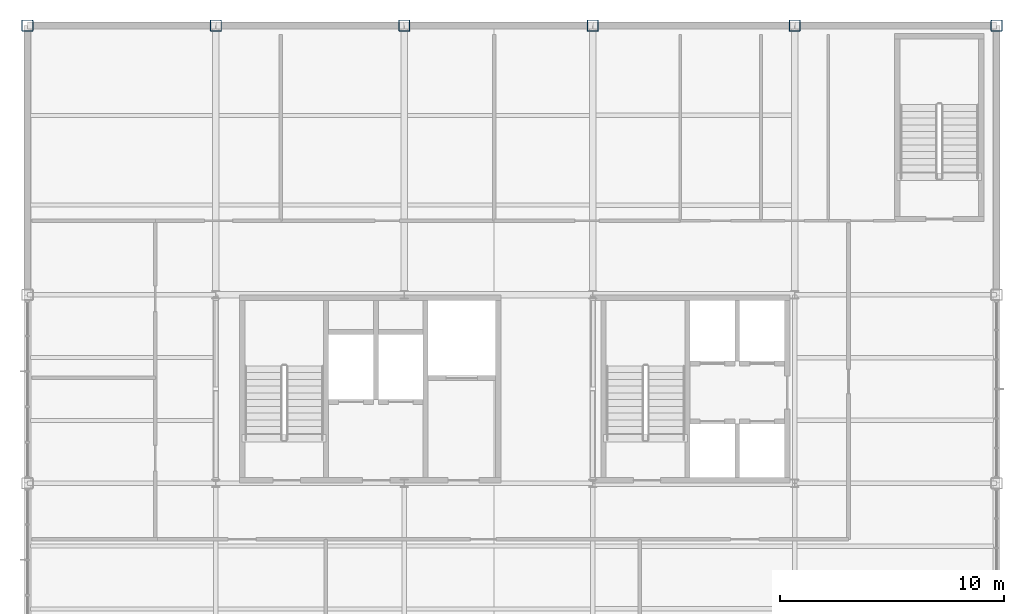
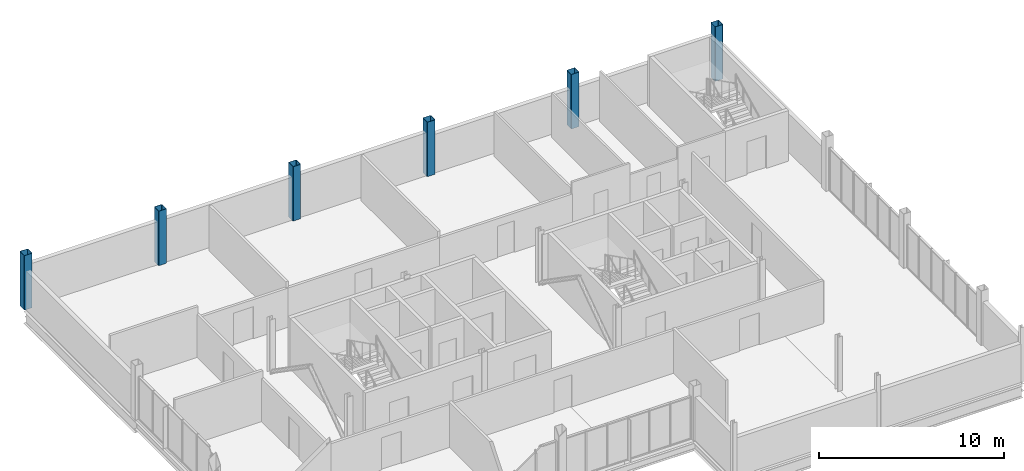
# One storey, part 3 of 16: 6 columns.
"""IFC4 building model written with IfcOpenShell, lengths in metres."""

from ifc_helpers import new_model, si_unit, direction, frame, origin, origin_2d, place, context, subcontext, project, spatial, hollow_rectangle, extrude, material, material_profile, profile_set, type_object, element, save


model = new_model("IFC4")

# Units and contexts
model_context = context("Model", 3, precision=1e-05, world=origin(), true_north=direction((0.0, 1.0)))
body_context = subcontext(model_context, "Body", "Model", "MODEL_VIEW")
ifc_project = project(units=[si_unit("LENGTHUNIT", "METRE"), si_unit("AREAUNIT", "SQUARE_METRE"), si_unit("VOLUMEUNIT", "CUBIC_METRE"), si_unit("PLANEANGLEUNIT", "RADIAN"), si_unit("MASSUNIT", "GRAM", prefix="KILO")], contexts=[model_context])

# Site, building, storey
site_placement = place(None, origin())
site = spatial("IfcSite", under=ifc_project, at=site_placement, CompositionType="ELEMENT")
building_placement = place(site_placement, origin())
building = spatial("IfcBuilding", under=site, at=building_placement, Name="Yukiwa Park Conservatory and Herbarium", CompositionType="ELEMENT")
storey_placement = place(building_placement, frame((0.0, 0.0, 39.60009765625)))
storey = spatial("IfcBuildingStorey", under=building, at=storey_placement, Name="L10", CompositionType="ELEMENT", Elevation=39.60009765625)

# Columns
ifc_material = material(Name="Steel Q355D", Category="steel")
ifc_material_profile = material_profile(ifc_material, hollow_rectangle(XDim=0.5, YDim=0.5, WallThickness=0.02001953125, InnerFilletRadius=0.02001953125, OuterFilletRadius=0.0400390625, at=origin_2d()), Name="BOX 500x500x20")
ifc_profile_set = profile_set([ifc_material_profile], Name="Steel Q355D")
column_type = type_object("IfcColumnType", Name="COL-TW-BOX500-EXT", PredefinedType="COLUMN", material=ifc_profile_set)
for number, where, z_axis, x_axis, name in (
    (1, (124.800048828125, 115.199951171875, 0.0), (0.0, 0.0, 1.0), (1.0, 0.0, 0.0), "L10 column V5-X1248-Y1152"),
    (2, (133.199951171875, 115.199951171875, 0.0), (0.0, 0.0, 1.0), (1.0, 0.0, 0.0), "L10 column V5-X1332-Y1152"),
    (3, (141.60009765625, 115.199951171875, 0.0), (0.0, 0.0, 1.0), (1.0, 0.0, 0.0), "L10 column V5-X1416-Y1152"),
    (4, (150.0, 115.199951171875, 0.0), (0.0, 0.0, 1.0), (1.0, 0.0, 0.0), "L10 column V5-X1500-Y1152"),
    (5, (159.0, 115.199951171875, 0.0), (0.0, 0.0, 1.0), (1.0, 0.0, 0.0), "L10 column V5-X1590-Y1152"),
    (6, (168.0, 115.199951171875, 0.0), (0.0, 0.0, 1.0), (1.0, 0.0, 0.0), "L10 column V5-X1680-Y1152"),
):
    element("IfcColumn", number, at=place(storey_placement, frame(where, z_axis=z_axis, x_axis=x_axis)), inside=storey, type_object=column_type, Name=name, PredefinedType="COLUMN", context=body_context, shape_type="SweptSolid", body=[
        extrude(hollow_rectangle(XDim=0.5, YDim=0.5, WallThickness=0.02001953125, InnerFilletRadius=0.02001953125, OuterFilletRadius=0.0400390625, at=origin_2d()), origin(), (0.0, 0.0, 1.0), 3.599853515625),
    ])

save(model, "model.ifc")
